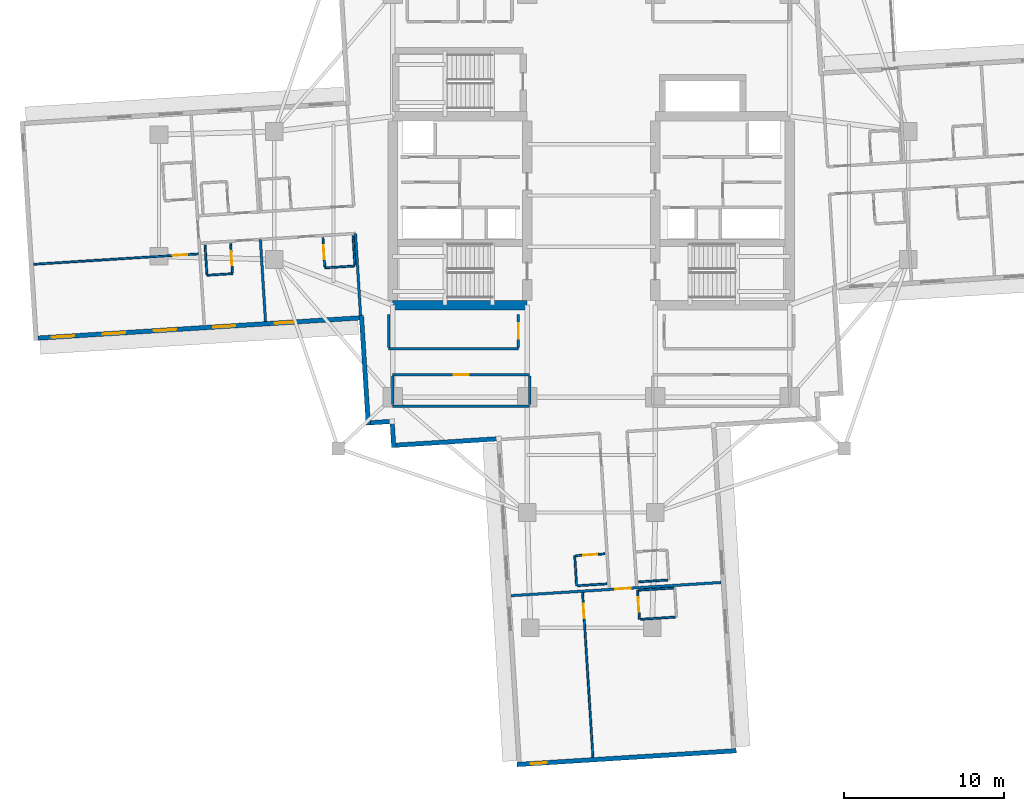
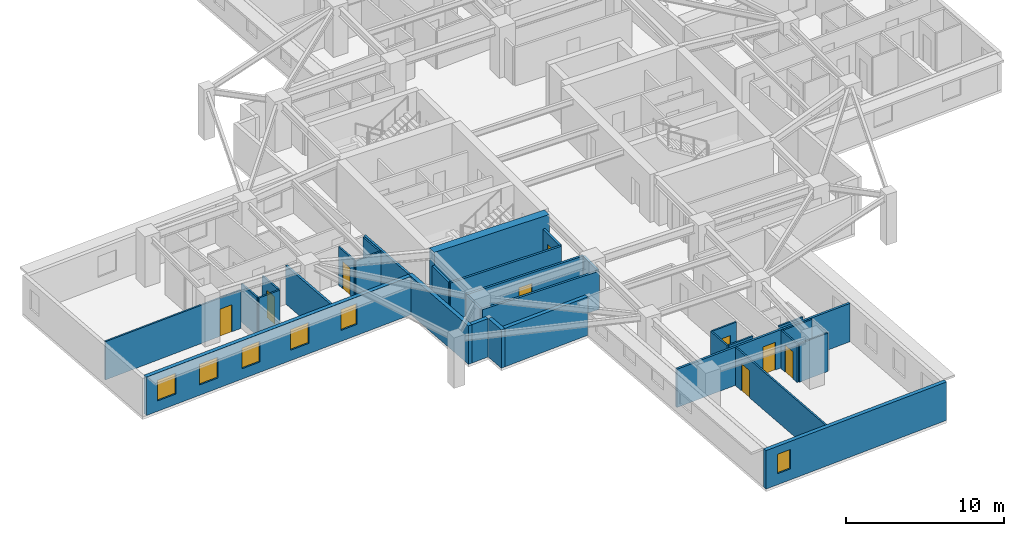
# One storey, part 3 of 14: 32 walls, 9 doors, 6 windows, 15 openings.
"""IFC4 building model written with IfcOpenShell, lengths in metres."""

from ifc_helpers import new_model, si_unit, direction, frame, frame_2d, origin, place, context, subcontext, project, spatial, rectangle, extrude, material, layer, layer_set, type_object, element, fill, save


model = new_model("IFC4")

# Units and contexts
model_context = context("Model", 3, precision=1e-05, world=origin(), true_north=direction((0.0, 1.0)))
body_context = subcontext(model_context, "Body", "Model", "MODEL_VIEW")
ifc_project = project(units=[si_unit("LENGTHUNIT", "METRE"), si_unit("AREAUNIT", "SQUARE_METRE"), si_unit("VOLUMEUNIT", "CUBIC_METRE"), si_unit("PLANEANGLEUNIT", "RADIAN"), si_unit("MASSUNIT", "GRAM", prefix="KILO")], contexts=[model_context])

# Site, building, storey
site_placement = place(None, origin())
site = spatial("IfcSite", under=ifc_project, at=site_placement, CompositionType="ELEMENT")
building_placement = place(site_placement, origin())
building = spatial("IfcBuilding", under=site, at=building_placement, Name="Qingluan Cross Belvedere", CompositionType="ELEMENT")
storey_placement = place(building_placement, frame((0.0, 0.0, 128.10009765625)))
storey = spatial("IfcBuildingStorey", under=building, at=storey_placement, Name="L32", CompositionType="ELEMENT", Elevation=128.10009765625)

# Walls
ifc_material_1 = material(Name="Concrete C60", Category="concrete")
ifc_layer_1 = layer(ifc_material_1, 0.60009765625, Name="CoreShearWall_600")
ifc_layer_set_1 = layer_set([ifc_layer_1], Name="Concrete C60")
wall_type_1 = type_object("IfcWallType", Name="CoreShearWall_600", PredefinedType="SHEAR", material=ifc_layer_set_1)
wall_1_placement = place(storey_placement, frame((-12.39990234375, -6.85009765625, 0.0), z_axis=(0.0, 0.0, 1.0), x_axis=(1.0, 0.0, 0.0)))
element("IfcWall", 1, at=wall_1_placement, inside=storey, type_object=wall_type_1, Name="Split core W shear wall L32-S", PredefinedType="SHEAR", context=body_context, shape_type="SweptSolid", body=[
    extrude(rectangle(XDim=8.39990234375, YDim=0.60009765625, at=frame_2d((4.199951171875, 0.0))), origin(), (0.0, 0.0, 1.0), 3.699951171875),
])
ifc_material_2 = material(Name="Gypsum plasterboard on steel stud acoustic partition", Category="steel")
ifc_layer_2 = layer(ifc_material_2, 0.159912109375, Name="CorridorPartition_160")
ifc_layer_set_2 = layer_set([ifc_layer_2], Name="Gypsum plasterboard on steel stud acoustic partition")
wall_type_2 = type_object("IfcWallType", Name="CorridorPartition_160", PredefinedType="PARTITIONING", material=ifc_layer_set_2)
wall_2_placement = place(storey_placement, frame((-12.39990234375, -13.14990234375, 0.0), z_axis=(0.0, 0.0, 1.0), x_axis=(1.0, 0.0, 0.0)))
element("IfcWall", 2, at=wall_2_placement, inside=storey, type_object=wall_type_2, Name="Partition L32:q_sw:S", PredefinedType="PARTITIONING", context=body_context, shape_type="SweptSolid", body=[
    extrude(rectangle(XDim=8.5498046875, YDim=0.159912109375, at=frame_2d((4.27490234375, 0.0))), origin(), (0.0, 0.0, 1.0), 2.9599609375),
])

# Wall, opening, door
wall_3_placement = place(storey_placement, frame((-12.39990234375, -11.199951171875, 0.0), z_axis=(0.0, 0.0, 1.0), x_axis=(1.0, 0.0, 0.0)))
wall_3 = element("IfcWall", 3, at=wall_3_placement, inside=storey, type_object=wall_type_2, Name="Partition L32:q_sw:N", PredefinedType="PARTITIONING", context=body_context, shape_type="SweptSolid", body=[
    extrude(rectangle(XDim=8.5498046875, YDim=0.159912109375, at=frame_2d((4.27490234375, 0.0))), origin(), (0.0, 0.0, 1.0), 2.9599609375),
])
opening_1_placement = place(wall_3_placement, frame((3.794921875, 0.0, 0.0)))
opening_1 = element("IfcOpeningElement", 4, at=opening_1_placement, cuts=wall_3, Name="Opening GD-10", PredefinedType="OPENING", context=body_context, shape_type="SweptSolid", body=[
    extrude(rectangle(XDim=0.9599609375, YDim=2.14990234375, at=frame_2d((0.47998046875, 1.074951171875))), frame((0.0, 0.08984375, 0.0), z_axis=(0.0, -1.0, 0.0), x_axis=(1.0, 0.0, 0.0)), (0.0, 0.0, 1.0), 0.179931640625),
])
ifc_material_3 = material(Name="Timber oak fire-rated acoustic guestroom door", Category="wood")
door_type_1 = type_object("IfcDoorType", Name="GuestEntryDoor_FD60", OperationType="NOTDEFINED", PredefinedType="DOOR", material=ifc_material_3)
door_1_placement = place(opening_1_placement, origin())
door_1 = element("IfcDoor", 5, at=door_1_placement, inside=storey, type_object=door_type_1, Name="Aromatherapy spa room L32 door", OperationType="SINGLE_SWING_RIGHT", OverallHeight=2.14990234375, OverallWidth=0.9599609375, PredefinedType="DOOR", context=body_context, shape_type="SweptSolid", body=[
    extrude(rectangle(XDim=0.9599609375, YDim=2.14990234375, at=frame_2d((0.47998046875, 1.074951171875))), frame((0.0, 0.02490234375, 0.0), z_axis=(0.0, -1.0, 0.0), x_axis=(1.0, 0.0, 0.0)), (0.0, 0.0, 1.0), 0.050048828125),
])
fill(opening_1, door_1)

# Walls
for number, where, z_axis, x_axis, name in (
    (6, (-12.39990234375, -13.06494140625, 0.0), (0.0, 0.0, 1.0), (0.0, 1.0, 0.0), "Partition L32:q_sw:W"),
    (7, (-3.85009765625, -13.06494140625, 0.0), (0.0, 0.0, 1.0), (0.0, 1.0, 0.0), "Partition L32:q_sw:E"),
):
    element("IfcWall", number, at=place(storey_placement, frame(where, z_axis=z_axis, x_axis=x_axis)), inside=storey, type_object=wall_type_2, Name=name, PredefinedType="PARTITIONING", context=body_context, shape_type="SweptSolid", body=[
        extrude(rectangle(XDim=1.780029296875, YDim=0.159912109375, at=frame_2d((0.89013671875, 0.0))), origin(), (0.0, 0.0, 1.0), 2.9599609375),
    ])
wall_4_placement = place(storey_placement, frame((-12.64990234375, -9.580078125, 0.0), z_axis=(0.0, 0.0, 1.0), x_axis=(1.0, 0.0, 0.0)))
element("IfcWall", 8, at=wall_4_placement, inside=storey, type_object=wall_type_2, Name="Partition L32:rec_st4_w:S", PredefinedType="PARTITIONING", context=body_context, shape_type="SweptSolid", body=[
    extrude(rectangle(XDim=8.099853515625, YDim=0.159912109375, at=frame_2d((4.0498046875, 0.0))), origin(), (0.0, 0.0, 1.0), 2.9599609375),
])
wall_5_placement = place(storey_placement, frame((-12.64990234375, -9.4951171875, 0.0), z_axis=(0.0, 0.0, 1.0), x_axis=(0.0, 1.0, 0.0)))
element("IfcWall", 9, at=wall_5_placement, inside=storey, type_object=wall_type_2, Name="Partition L32:rec_st4_w:W", PredefinedType="PARTITIONING", context=body_context, shape_type="SweptSolid", body=[
    extrude(rectangle(XDim=2.06005859375, YDim=0.159912109375, at=frame_2d((1.030029296875, 0.0))), origin(), (0.0, 0.0, 1.0), 2.9599609375),
])

# Wall, opening, door
wall_6_placement = place(storey_placement, frame((-4.550048828125, -9.4951171875, 0.0), z_axis=(0.0, 0.0, 1.0), x_axis=(0.0, 1.0, 0.0)))
wall_6 = element("IfcWall", 10, at=wall_6_placement, inside=storey, type_object=wall_type_2, Name="Partition L32:rec_st4_w:E", PredefinedType="PARTITIONING", context=body_context, shape_type="SweptSolid", body=[
    extrude(rectangle(XDim=2.06005859375, YDim=0.159912109375, at=frame_2d((1.030029296875, 0.0))), origin(), (0.0, 0.0, 1.0), 2.9599609375),
])
opening_2_placement = place(wall_6_placement, frame((0.550048828125, 0.0, 0.0)))
opening_2 = element("IfcOpeningElement", 11, at=opening_2_placement, cuts=wall_6, Name="Opening GD-10", PredefinedType="OPENING", context=body_context, shape_type="SweptSolid", body=[
    extrude(rectangle(XDim=0.9599609375, YDim=2.14990234375, at=frame_2d((0.47998046875, 1.074951171875))), frame((0.0, 0.08984375, 0.0), z_axis=(0.0, -1.0, 0.0), x_axis=(1.0, 0.0, 0.0)), (0.0, 0.0, 1.0), 0.179931640625),
])
door_2_placement = place(opening_2_placement, origin())
door_2 = element("IfcDoor", 12, at=door_2_placement, inside=storey, type_object=door_type_1, Name="Southwest club reading room L32 door", OperationType="SINGLE_SWING_LEFT", OverallHeight=2.14990234375, OverallWidth=0.9599609375, PredefinedType="DOOR", context=body_context, shape_type="SweptSolid", body=[
    extrude(rectangle(XDim=0.9599609375, YDim=2.14990234375, at=frame_2d((0.47998046875, 1.074951171875))), frame((0.0, 0.02490234375, 0.0), z_axis=(0.0, -1.0, 0.0), x_axis=(1.0, 0.0, 0.0)), (0.0, 0.0, 1.0), 0.050048828125),
])
fill(opening_2, door_2)

# Walls
for number, where, z_axis, x_axis, name in (
    (13, (-14.730224609375, -2.36962890625, 0.0), (0.0, 0.0, 1.0), (0.062795883315, -0.998026390953, 0.0), "Partition L32:W:s1"),
    (14, (-20.66845703125, -2.7431640625, 0.0), (0.0, 0.0, 1.0), (0.062795883315, -0.998026390953, 0.0), "Partition L32:W:d1_0"),
):
    element("IfcWall", number, at=place(storey_placement, frame(where, z_axis=z_axis, x_axis=x_axis)), inside=storey, type_object=wall_type_2, Name=name, PredefinedType="PARTITIONING", context=body_context, shape_type="SweptSolid", body=[
        extrude(rectangle(XDim=5.1318359375, YDim=0.159912109375, at=frame_2d((2.56591796875, 0.0))), origin(), (0.0, 0.0, 1.0), 2.9599609375),
    ])

# Wall, opening, door
wall_7_placement = place(storey_placement, frame((-5.012451171875, -24.994140625, 0.0), z_axis=(0.0, 0.0, 1.0), x_axis=(0.998026109115, 0.062800362452, 0.0)))
wall_7 = element("IfcWall", 15, at=wall_7_placement, inside=storey, type_object=wall_type_2, Name="Partition L32:Scap:in", PredefinedType="PARTITIONING", context=body_context, shape_type="SweptSolid", body=[
    extrude(rectangle(XDim=13.143798828125, YDim=0.159912109375, at=frame_2d((6.57177734375, 0.0))), origin(), (0.0, 0.0, 1.0), 2.9599609375),
])
opening_3_placement = place(wall_7_placement, frame((6.531982421875, 0.0, 0.0)))
opening_3 = element("IfcOpeningElement", 16, at=opening_3_placement, cuts=wall_7, Name="Opening GD-10", PredefinedType="OPENING", context=body_context, shape_type="SweptSolid", body=[
    extrude(rectangle(XDim=0.9599609375, YDim=2.14990234375, at=frame_2d((0.47998046875, 1.074951171875))), frame((0.0, 0.08984375, 0.0), z_axis=(0.0, -1.0, 0.0), x_axis=(1.0, 0.0, 0.0)), (0.0, 0.0, 1.0), 0.179931640625),
])
door_3_placement = place(opening_3_placement, origin())
door_3 = element("IfcDoor", 17, at=door_3_placement, inside=storey, type_object=door_type_1, Name="Horizon corner suite door L32S", OperationType="SINGLE_SWING_LEFT", OverallHeight=2.14990234375, OverallWidth=0.9599609375, PredefinedType="DOOR", context=body_context, shape_type="SweptSolid", body=[
    extrude(rectangle(XDim=0.9599609375, YDim=2.14990234375, at=frame_2d((0.47998046875, 1.074951171875))), frame((0.0, 0.02490234375, 0.0), z_axis=(0.0, -1.0, 0.0), x_axis=(1.0, 0.0, 0.0)), (0.0, 0.0, 1.0), 0.050048828125),
])
fill(opening_3, door_3)

ifc_material_4 = material(Name="Moisture-resistant gypsum board lining")
ifc_layer_3 = layer(ifc_material_4, 0.1201171875, Name="EnsuiteWetPartition_120")
ifc_layer_set_3 = layer_set([ifc_layer_3], Name="Moisture-resistant gypsum board lining")
wall_type_3 = type_object("IfcWallType", Name="EnsuiteWetPartition_120", PredefinedType="PARTITIONING", material=ifc_layer_set_3)
wall_8_placement = place(storey_placement, frame((-16.643310546875, -4.453857421875, 0.0), z_axis=(0.0, 0.0, 1.0), x_axis=(-0.062779145668, 0.998027443946, 0.0)))
wall_8 = element("IfcWall", 18, at=wall_8_placement, inside=storey, type_object=wall_type_3, Name="Partition L32:W:bs1_0", PredefinedType="PARTITIONING", context=body_context, shape_type="SweptSolid", body=[
    extrude(rectangle(XDim=1.820068359375, YDim=0.1201171875, at=frame_2d((0.91015625, 0.0))), origin(), (0.0, 0.0, 1.0), 2.9599609375),
])
opening_4_placement = place(wall_8_placement, frame((0.469970703125, 0.0, 0.0)))
opening_4 = element("IfcOpeningElement", 19, at=opening_4_placement, cuts=wall_8, Name="Opening BD-09", PredefinedType="OPENING", context=body_context, shape_type="SweptSolid", body=[
    extrude(rectangle(XDim=0.8798828125, YDim=2.10009765625, at=frame_2d((0.43994140625, 1.050048828125))), frame((0.0, 0.070068359375, 0.0), z_axis=(0.0, -1.0, 0.0), x_axis=(1.0, 0.0, 0.0)), (0.0, 0.0, 1.0), 0.14013671875),
])
ifc_material_5 = material(Name="Moisture-sealed timber en-suite door", Category="wood")
door_type_2 = type_object("IfcDoorType", Name="BathroomDoor_880", OperationType="NOTDEFINED", PredefinedType="DOOR", material=ifc_material_5)
door_4_placement = place(opening_4_placement, origin())
door_4 = element("IfcDoor", 20, at=door_4_placement, inside=storey, type_object=door_type_2, Name="Bathroom door 3209", OperationType="SINGLE_SWING_LEFT", OverallHeight=2.10009765625, OverallWidth=0.8798828125, PredefinedType="DOOR", context=body_context, shape_type="SweptSolid", body=[
    extrude(rectangle(XDim=0.8798828125, YDim=2.10009765625, at=frame_2d((0.43994140625, 1.050048828125))), frame((0.0, 0.02490234375, 0.0), z_axis=(0.0, -1.0, 0.0), x_axis=(1.0, 0.0, 0.0)), (0.0, 0.0, 1.0), 0.050048828125),
])
fill(opening_4, door_4)

# Walls
wall_9_placement = place(storey_placement, frame((-14.766845703125, -4.335693359375, 0.0), z_axis=(0.0, 0.0, 1.0), x_axis=(-0.062779145668, 0.998027443946, 0.0)))
element("IfcWall", 21, at=wall_9_placement, inside=storey, type_object=wall_type_3, Name="Partition L32:W:bw1_0", PredefinedType="PARTITIONING", context=body_context, shape_type="SweptSolid", body=[
    extrude(rectangle(XDim=1.820068359375, YDim=0.1201171875, at=frame_2d((0.91015625, 0.0))), origin(), (0.0, 0.0, 1.0), 2.9599609375),
])
wall_10_placement = place(storey_placement, frame((-14.7626953125, -4.400634765625, 0.0), z_axis=(0.0, 0.0, 1.0), x_axis=(-0.998023163794, -0.062847152131, 0.0)))
element("IfcWall", 22, at=wall_10_placement, inside=storey, type_object=wall_type_3, Name="Partition L32:W:bc1_0", PredefinedType="PARTITIONING", context=body_context, shape_type="SweptSolid", body=[
    extrude(rectangle(XDim=1.880126953125, YDim=0.1201171875, at=frame_2d((0.93994140625, 0.0))), origin(), (0.0, 0.0, 1.0), 2.9599609375),
])

# Wall, opening, door
wall_11_placement = place(storey_placement, frame((-22.411865234375, -4.81689453125, 0.0), z_axis=(0.0, 0.0, 1.0), x_axis=(-0.062770741989, 0.998027972529, 0.0)))
wall_11 = element("IfcWall", 23, at=wall_11_placement, inside=storey, type_object=wall_type_3, Name="Partition L32:W:bs1_1", PredefinedType="PARTITIONING", context=body_context, shape_type="SweptSolid", body=[
    extrude(rectangle(XDim=1.8203125, YDim=0.1201171875, at=frame_2d((0.91015625, 0.0))), origin(), (0.0, 0.0, 1.0), 2.9599609375),
])
opening_5_placement = place(wall_11_placement, frame((0.469970703125, 0.0, 0.0)))
opening_5 = element("IfcOpeningElement", 24, at=opening_5_placement, cuts=wall_11, Name="Opening BD-09", PredefinedType="OPENING", context=body_context, shape_type="SweptSolid", body=[
    extrude(rectangle(XDim=0.8798828125, YDim=2.10009765625, at=frame_2d((0.43994140625, 1.050048828125))), frame((0.0, 0.070068359375, 0.0), z_axis=(0.0, -1.0, 0.0), x_axis=(1.0, 0.0, 0.0)), (0.0, 0.0, 1.0), 0.14013671875),
])
door_5_placement = place(opening_5_placement, origin())
door_5 = element("IfcDoor", 25, at=door_5_placement, inside=storey, type_object=door_type_2, Name="Bathroom door 3210", OperationType="SINGLE_SWING_LEFT", OverallHeight=2.10009765625, OverallWidth=0.8798828125, PredefinedType="DOOR", context=body_context, shape_type="SweptSolid", body=[
    extrude(rectangle(XDim=0.8798828125, YDim=2.10009765625, at=frame_2d((0.43994140625, 1.050048828125))), frame((0.0, 0.02490234375, 0.0), z_axis=(0.0, -1.0, 0.0), x_axis=(1.0, 0.0, 0.0)), (0.0, 0.0, 1.0), 0.050048828125),
])
fill(opening_5, door_5)

# Walls
wall_12_placement = place(storey_placement, frame((-24.008544921875, -4.917236328125, 0.0), z_axis=(0.0, 0.0, 1.0), x_axis=(-0.062779145668, 0.998027443946, 0.0)))
element("IfcWall", 26, at=wall_12_placement, inside=storey, type_object=wall_type_3, Name="Partition L32:W:bw1_1", PredefinedType="PARTITIONING", context=body_context, shape_type="SweptSolid", body=[
    extrude(rectangle(XDim=1.820068359375, YDim=0.1201171875, at=frame_2d((0.91015625, 0.0))), origin(), (0.0, 0.0, 1.0), 2.9599609375),
])
wall_13_placement = place(storey_placement, frame((-22.40771484375, -4.881591796875, 0.0), z_axis=(0.0, 0.0, 1.0), x_axis=(-0.998021579404, -0.062872307449, 0.0)))
element("IfcWall", 27, at=wall_13_placement, inside=storey, type_object=wall_type_3, Name="Partition L32:W:bc1_1", PredefinedType="PARTITIONING", context=body_context, shape_type="SweptSolid", body=[
    extrude(rectangle(XDim=1.599853515625, YDim=0.1201171875, at=frame_2d((0.7998046875, 0.0))), origin(), (0.0, 0.0, 1.0), 2.9599609375),
])
wall_14_placement = place(storey_placement, frame((2.961181640625, -24.131591796875, 0.0), z_axis=(0.0, 0.0, 1.0), x_axis=(0.998027443946, 0.062779145668, 0.0)))
element("IfcWall", 28, at=wall_14_placement, inside=storey, type_object=wall_type_3, Name="Partition L32:S:bw0_0", PredefinedType="PARTITIONING", context=body_context, shape_type="SweptSolid", body=[
    extrude(rectangle(XDim=1.820068359375, YDim=0.1201171875, at=frame_2d((0.91015625, 0.0))), origin(), (0.0, 0.0, 1.0), 2.9599609375),
])

# Wall, opening, door
wall_15_placement = place(storey_placement, frame((-0.969482421875, -22.495361328125, 0.0), z_axis=(0.0, 0.0, 1.0), x_axis=(0.998027443946, 0.062779145668, 0.0)))
wall_15 = element("IfcWall", 29, at=wall_15_placement, inside=storey, type_object=wall_type_3, Name="Partition L32:S:bs1_0", PredefinedType="PARTITIONING", context=body_context, shape_type="SweptSolid", body=[
    extrude(rectangle(XDim=1.820068359375, YDim=0.1201171875, at=frame_2d((0.91015625, 0.0))), origin(), (0.0, 0.0, 1.0), 2.9599609375),
])
opening_6_placement = place(wall_15_placement, frame((0.469970703125, 0.0, 0.0)))
opening_6 = element("IfcOpeningElement", 30, at=opening_6_placement, cuts=wall_15, Name="Opening BD-09", PredefinedType="OPENING", context=body_context, shape_type="SweptSolid", body=[
    extrude(rectangle(XDim=0.8798828125, YDim=2.10009765625, at=frame_2d((0.43994140625, 1.050048828125))), frame((0.0, 0.070068359375, 0.0), z_axis=(0.0, -1.0, 0.0), x_axis=(1.0, 0.0, 0.0)), (0.0, 0.0, 1.0), 0.14013671875),
])
door_6_placement = place(opening_6_placement, origin())
door_6 = element("IfcDoor", 31, at=door_6_placement, inside=storey, type_object=door_type_2, Name="Bathroom door 3216", OperationType="SINGLE_SWING_LEFT", OverallHeight=2.10009765625, OverallWidth=0.8798828125, PredefinedType="DOOR", context=body_context, shape_type="SweptSolid", body=[
    extrude(rectangle(XDim=0.8798828125, YDim=2.10009765625, at=frame_2d((0.43994140625, 1.050048828125))), frame((0.0, 0.02490234375, 0.0), z_axis=(0.0, -1.0, 0.0), x_axis=(1.0, 0.0, 0.0)), (0.0, 0.0, 1.0), 0.050048828125),
])
fill(opening_6, door_6)

# Walls
wall_16_placement = place(storey_placement, frame((-0.851318359375, -24.37158203125, 0.0), z_axis=(0.0, 0.0, 1.0), x_axis=(0.998027443946, 0.062779145668, 0.0)))
element("IfcWall", 32, at=wall_16_placement, inside=storey, type_object=wall_type_3, Name="Partition L32:S:bw1_0", PredefinedType="PARTITIONING", context=body_context, shape_type="SweptSolid", body=[
    extrude(rectangle(XDim=1.820068359375, YDim=0.1201171875, at=frame_2d((0.91015625, 0.0))), origin(), (0.0, 0.0, 1.0), 2.9599609375),
])
wall_17_placement = place(storey_placement, frame((-1.0341796875, -22.499267578125, 0.0), z_axis=(0.0, 0.0, 1.0), x_axis=(0.062725942896, -0.998030789148, 0.0)))
element("IfcWall", 33, at=wall_17_placement, inside=storey, type_object=wall_type_3, Name="Partition L32:S:bc1_0", PredefinedType="PARTITIONING", context=body_context, shape_type="SweptSolid", body=[
    extrude(rectangle(XDim=1.8798828125, YDim=0.1201171875, at=frame_2d((0.93994140625, 0.0))), origin(), (0.0, 0.0, 1.0), 2.9599609375),
])

# Wall, opening, door
wall_18_placement = place(storey_placement, frame((-24.539306640625, -3.64794921875, 0.0), z_axis=(0.0, 0.0, 1.0), x_axis=(-0.998026977373, -0.062786562543, 0.0)))
wall_18 = element("IfcWall", 34, at=wall_18_placement, inside=storey, type_object=wall_type_3, Name="Partition L32:Wcap:m2", PredefinedType="PARTITIONING", context=body_context, shape_type="SweptSolid", body=[
    extrude(rectangle(XDim=10.31201171875, YDim=0.1201171875, at=frame_2d((5.156005859375, 0.0))), origin(), (0.0, 0.0, 1.0), 2.9599609375),
])
opening_7_placement = place(wall_18_placement, frame((0.699951171875, 0.0, 0.0)))
opening_7 = element("IfcOpeningElement", 35, at=opening_7_placement, cuts=wall_18, Name="Opening BD-89", PredefinedType="OPENING", context=body_context, shape_type="SweptSolid", body=[
    extrude(rectangle(XDim=0.89990234375, YDim=2.10009765625, at=frame_2d((0.449951171875, 1.050048828125))), frame((0.0, 0.070068359375, 0.0), z_axis=(0.0, -1.0, 0.0), x_axis=(1.0, 0.0, 0.0)), (0.0, 0.0, 1.0), 0.14013671875),
])
ifc_material_6 = material(Name="Timber acoustic study door", Category="wood")
door_type_3 = type_object("IfcDoorType", Name="SuiteStudyDoor_900", OperationType="NOTDEFINED", PredefinedType="DOOR", material=ifc_material_6)
door_7_placement = place(opening_7_placement, origin())
door_7 = element("IfcDoor", 36, at=door_7_placement, inside=storey, type_object=door_type_3, Name="Suite private study door L32W", OperationType="SINGLE_SWING_LEFT", OverallHeight=2.10009765625, OverallWidth=0.89990234375, PredefinedType="DOOR", context=body_context, shape_type="SweptSolid", body=[
    extrude(rectangle(XDim=0.89990234375, YDim=2.10009765625, at=frame_2d((0.449951171875, 1.050048828125))), frame((0.0, 0.02490234375, 0.0), z_axis=(0.0, -1.0, 0.0), x_axis=(1.0, 0.0, 0.0)), (0.0, 0.0, 1.0), 0.050048828125),
])
fill(opening_7, door_7)

wall_19_placement = place(storey_placement, frame((-0.543701171875, -24.802978515625, 0.0), z_axis=(0.0, 0.0, 1.0), x_axis=(0.062786562543, -0.998026977373, 0.0)))
wall_19 = element("IfcWall", 37, at=wall_19_placement, inside=storey, type_object=wall_type_3, Name="Partition L32:Scap:m2", PredefinedType="PARTITIONING", context=body_context, shape_type="SweptSolid", body=[
    extrude(rectangle(XDim=10.31201171875, YDim=0.1201171875, at=frame_2d((5.156005859375, 0.0))), origin(), (0.0, 0.0, 1.0), 2.9599609375),
])
opening_8_placement = place(wall_19_placement, frame((0.699951171875, 0.0, 0.0)))
opening_8 = element("IfcOpeningElement", 38, at=opening_8_placement, cuts=wall_19, Name="Opening BD-89", PredefinedType="OPENING", context=body_context, shape_type="SweptSolid", body=[
    extrude(rectangle(XDim=0.89990234375, YDim=2.10009765625, at=frame_2d((0.449951171875, 1.050048828125))), frame((0.0, 0.070068359375, 0.0), z_axis=(0.0, -1.0, 0.0), x_axis=(1.0, 0.0, 0.0)), (0.0, 0.0, 1.0), 0.14013671875),
])
door_8_placement = place(opening_8_placement, origin())
door_8 = element("IfcDoor", 39, at=door_8_placement, inside=storey, type_object=door_type_3, Name="Suite private study door L32S", OperationType="SINGLE_SWING_LEFT", OverallHeight=2.10009765625, OverallWidth=0.89990234375, PredefinedType="DOOR", context=body_context, shape_type="SweptSolid", body=[
    extrude(rectangle(XDim=0.89990234375, YDim=2.10009765625, at=frame_2d((0.449951171875, 1.050048828125))), frame((0.0, 0.02490234375, 0.0), z_axis=(0.0, -1.0, 0.0), x_axis=(1.0, 0.0, 0.0)), (0.0, 0.0, 1.0), 0.050048828125),
])
fill(opening_8, door_8)

wall_20_placement = place(storey_placement, frame((2.893798828125, -24.656982421875, 0.0), z_axis=(0.0, 0.0, 1.0), x_axis=(0.062912758763, -0.998019030272, 0.0)))
wall_20 = element("IfcWall", 40, at=wall_20_placement, inside=storey, type_object=wall_type_3, Name="Partition L32:Scap:b2s", PredefinedType="PARTITIONING", context=body_context, shape_type="SweptSolid", body=[
    extrude(rectangle(XDim=1.820068359375, YDim=0.1201171875, at=frame_2d((0.91015625, 0.0))), origin(), (0.0, 0.0, 1.0), 2.9599609375),
])
opening_9_placement = place(wall_20_placement, frame((0.449951171875, 0.0, 0.0)))
opening_9 = element("IfcOpeningElement", 41, at=opening_9_placement, cuts=wall_20, Name="Opening BD-09", PredefinedType="OPENING", context=body_context, shape_type="SweptSolid", body=[
    extrude(rectangle(XDim=0.8798828125, YDim=2.10009765625, at=frame_2d((0.43994140625, 1.050048828125))), frame((0.0, 0.070068359375, 0.0), z_axis=(0.0, -1.0, 0.0), x_axis=(1.0, 0.0, 0.0)), (0.0, 0.0, 1.0), 0.14013671875),
])
door_9_placement = place(opening_9_placement, origin())
door_9 = element("IfcDoor", 42, at=door_9_placement, inside=storey, type_object=door_type_2, Name="En-suite bathroom door L32S", OperationType="SINGLE_SWING_RIGHT", OverallHeight=2.10009765625, OverallWidth=0.8798828125, PredefinedType="DOOR", context=body_context, shape_type="SweptSolid", body=[
    extrude(rectangle(XDim=0.8798828125, YDim=2.10009765625, at=frame_2d((0.43994140625, 1.050048828125))), frame((0.0, 0.02490234375, 0.0), z_axis=(0.0, -1.0, 0.0), x_axis=(1.0, 0.0, 0.0)), (0.0, 0.0, 1.0), 0.050048828125),
])
fill(opening_9, door_9)

# Walls
wall_21_placement = place(storey_placement, frame((2.9638671875, -24.652587890625, 0.0), z_axis=(0.0, 0.0, 1.0), x_axis=(0.99802414895, 0.06283150573, 0.0)))
element("IfcWall", 43, at=wall_21_placement, inside=storey, type_object=wall_type_3, Name="Partition L32:Scap:b2a", PredefinedType="PARTITIONING", context=body_context, shape_type="SweptSolid", body=[
    extrude(rectangle(XDim=2.179931640625, YDim=0.1201171875, at=frame_2d((1.08984375, 0.0))), origin(), (0.0, 0.0, 1.0), 2.9599609375),
])
wall_22_placement = place(storey_placement, frame((3.078125, -26.468994140625, 0.0), z_axis=(0.0, 0.0, 1.0), x_axis=(0.998024591026, 0.062824483344, 0.0)))
element("IfcWall", 44, at=wall_22_placement, inside=storey, type_object=wall_type_3, Name="Partition L32:Scap:b2n", PredefinedType="PARTITIONING", context=body_context, shape_type="SweptSolid", body=[
    extrude(rectangle(XDim=2.18017578125, YDim=0.1201171875, at=frame_2d((1.090087890625, 0.0))), origin(), (0.0, 0.0, 1.0), 2.9599609375),
])

# Wall, openings, windows
ifc_material_7 = material(Name="Precast concrete C45", Category="concrete")
ifc_layer_4 = layer(ifc_material_7, 0.280029296875, Name="PrecastFacadeWall_280")
ifc_layer_set_4 = layer_set([ifc_layer_4], Name="Precast concrete C45")
wall_type_4 = type_object("IfcWallType", Name="PrecastFacadeWall_280", PredefinedType="STANDARD", material=ifc_layer_set_4)
wall_23_placement = place(storey_placement, frame((-34.548828125, -8.906982421875, 0.0), z_axis=(0.0, 0.0, 1.0), x_axis=(0.99802635503, 0.06279645424, 0.0)))
wall_23 = element("IfcWall", 45, at=wall_23_placement, inside=storey, type_object=wall_type_4, Name="Facade wall L32-WB", PredefinedType="STANDARD", context=body_context, shape_type="SweptSolid", body=[
    extrude(rectangle(XDim=20.099853515625, YDim=0.280029296875, at=frame_2d((10.0498046875, 0.0))), origin(), (0.0, 0.0, 1.0), 2.969970703125),
])
opening_10_placement = place(wall_23_placement, frame((0.85009765625, 0.0, 0.800048828125)))
opening_10 = element("IfcOpeningElement", 46, at=opening_10_placement, cuts=wall_23, Name="Opening W-01", PredefinedType="OPENING", context=body_context, shape_type="SweptSolid", body=[
    extrude(rectangle(XDim=1.39990234375, YDim=1.60009765625, at=frame_2d((0.699951171875, 0.800048828125))), frame((0.0, 0.14990234375, 0.0), z_axis=(0.0, -1.0, 0.0), x_axis=(1.0, 0.0, 0.0)), (0.0, 0.0, 1.0), 0.300048828125),
])
opening_11_placement = place(wall_23_placement, frame((4.050048828125, 0.0, 0.800048828125)))
opening_11 = element("IfcOpeningElement", 47, at=opening_11_placement, cuts=wall_23, Name="Opening W-01", PredefinedType="OPENING", context=body_context, shape_type="SweptSolid", body=[
    extrude(rectangle(XDim=1.39990234375, YDim=1.60009765625, at=frame_2d((0.699951171875, 0.800048828125))), frame((0.0, 0.14990234375, 0.0), z_axis=(0.0, -1.0, 0.0), x_axis=(1.0, 0.0, 0.0)), (0.0, 0.0, 1.0), 0.300048828125),
])
opening_12_placement = place(wall_23_placement, frame((7.25, 0.0, 0.800048828125)))
opening_12 = element("IfcOpeningElement", 48, at=opening_12_placement, cuts=wall_23, Name="Opening W-01", PredefinedType="OPENING", context=body_context, shape_type="SweptSolid", body=[
    extrude(rectangle(XDim=1.39990234375, YDim=1.60009765625, at=frame_2d((0.699951171875, 0.800048828125))), frame((0.0, 0.14990234375, 0.0), z_axis=(0.0, -1.0, 0.0), x_axis=(1.0, 0.0, 0.0)), (0.0, 0.0, 1.0), 0.300048828125),
])
opening_13_placement = place(wall_23_placement, frame((10.949951171875, 0.0, 0.800048828125)))
opening_13 = element("IfcOpeningElement", 49, at=opening_13_placement, cuts=wall_23, Name="Opening W-01", PredefinedType="OPENING", context=body_context, shape_type="SweptSolid", body=[
    extrude(rectangle(XDim=1.39990234375, YDim=1.60009765625, at=frame_2d((0.699951171875, 0.800048828125))), frame((0.0, 0.14990234375, 0.0), z_axis=(0.0, -1.0, 0.0), x_axis=(1.0, 0.0, 0.0)), (0.0, 0.0, 1.0), 0.300048828125),
])
opening_14_placement = place(wall_23_placement, frame((14.799072265625, 0.0, 0.85009765625)))
opening_14 = element("IfcOpeningElement", 50, at=opening_14_placement, cuts=wall_23, Name="Opening W-02", PredefinedType="OPENING", context=body_context, shape_type="SweptSolid", body=[
    extrude(rectangle(XDim=1.199951171875, YDim=1.60009765625, at=frame_2d((0.60009765625, 0.800048828125))), frame((0.0, 0.14990234375, 0.0), z_axis=(0.0, -1.0, 0.0), x_axis=(1.0, 0.0, 0.0)), (0.0, 0.0, 1.0), 0.300048828125),
])
ifc_material_8 = material(Name="Thermally broken triple Low-E glass in aluminium frame", Category="aluminium")
window_type_1 = type_object("IfcWindowType", Name="TriRibbonWin_1200x1600", PartitioningType="SINGLE_PANEL", PredefinedType="WINDOW", material=ifc_material_8)
window_1_placement = place(opening_14_placement, origin())
window_1 = element("IfcWindow", 51, at=window_1_placement, inside=storey, type_object=window_type_1, Name="Deluxe guest room 3209 daylight window", OverallHeight=1.60009765625, OverallWidth=1.199951171875, PartitioningType="SINGLE_PANEL", PredefinedType="WINDOW", context=body_context, shape_type="SweptSolid", body=[
    extrude(rectangle(XDim=1.199951171875, YDim=1.60009765625, at=frame_2d((0.60009765625, 0.800048828125))), frame((0.0, 0.030029296875, 0.0), z_axis=(0.0, -1.0, 0.0), x_axis=(1.0, 0.0, 0.0)), (0.0, 0.0, 1.0), 0.06005859375),
])
fill(opening_14, window_1)
ifc_material_9 = material(Name="Thermally broken triple Low-E glass in aluminium frame", Category="aluminium")
window_type_2 = type_object("IfcWindowType", Name="TriRibbonWin_1400x1600", PartitioningType="SINGLE_PANEL", PredefinedType="WINDOW", material=ifc_material_9)
window_2_placement = place(opening_10_placement, origin())
window_2 = element("IfcWindow", 52, at=window_2_placement, inside=storey, type_object=window_type_2, Name="Ribbon window L32-WB-1", OverallHeight=1.60009765625, OverallWidth=1.39990234375, PartitioningType="SINGLE_PANEL", PredefinedType="WINDOW", context=body_context, shape_type="SweptSolid", body=[
    extrude(rectangle(XDim=1.39990234375, YDim=1.60009765625, at=frame_2d((0.699951171875, 0.800048828125))), frame((0.0, 0.030029296875, 0.0), z_axis=(0.0, -1.0, 0.0), x_axis=(1.0, 0.0, 0.0)), (0.0, 0.0, 1.0), 0.06005859375),
])
fill(opening_10, window_2)
window_3_placement = place(opening_11_placement, origin())
window_3 = element("IfcWindow", 53, at=window_3_placement, inside=storey, type_object=window_type_2, Name="Ribbon window L32-WB-2", OverallHeight=1.60009765625, OverallWidth=1.39990234375, PartitioningType="SINGLE_PANEL", PredefinedType="WINDOW", context=body_context, shape_type="SweptSolid", body=[
    extrude(rectangle(XDim=1.39990234375, YDim=1.60009765625, at=frame_2d((0.699951171875, 0.800048828125))), frame((0.0, 0.030029296875, 0.0), z_axis=(0.0, -1.0, 0.0), x_axis=(1.0, 0.0, 0.0)), (0.0, 0.0, 1.0), 0.06005859375),
])
fill(opening_11, window_3)
window_4_placement = place(opening_12_placement, origin())
window_4 = element("IfcWindow", 54, at=window_4_placement, inside=storey, type_object=window_type_2, Name="Ribbon window L32-WB-3", OverallHeight=1.60009765625, OverallWidth=1.39990234375, PartitioningType="SINGLE_PANEL", PredefinedType="WINDOW", context=body_context, shape_type="SweptSolid", body=[
    extrude(rectangle(XDim=1.39990234375, YDim=1.60009765625, at=frame_2d((0.699951171875, 0.800048828125))), frame((0.0, 0.030029296875, 0.0), z_axis=(0.0, -1.0, 0.0), x_axis=(1.0, 0.0, 0.0)), (0.0, 0.0, 1.0), 0.06005859375),
])
fill(opening_12, window_4)
window_5_placement = place(opening_13_placement, origin())
window_5 = element("IfcWindow", 55, at=window_5_placement, inside=storey, type_object=window_type_2, Name="Ribbon window L32-WB-4", OverallHeight=1.60009765625, OverallWidth=1.39990234375, PartitioningType="SINGLE_PANEL", PredefinedType="WINDOW", context=body_context, shape_type="SweptSolid", body=[
    extrude(rectangle(XDim=1.39990234375, YDim=1.60009765625, at=frame_2d((0.699951171875, 0.800048828125))), frame((0.0, 0.030029296875, 0.0), z_axis=(0.0, -1.0, 0.0), x_axis=(1.0, 0.0, 0.0)), (0.0, 0.0, 1.0), 0.06005859375),
])
fill(opening_13, window_5)

# Wall, opening, window
wall_24_placement = place(storey_placement, frame((-4.637451171875, -35.541259765625, 0.0), z_axis=(0.0, 0.0, 1.0), x_axis=(0.998026318072, 0.062797041623, 0.0)))
wall_24 = element("IfcWall", 56, at=wall_24_placement, inside=storey, type_object=wall_type_4, Name="Arm tip precast facade wall L32-S", PredefinedType="STANDARD", context=body_context, shape_type="SweptSolid", body=[
    extrude(rectangle(XDim=13.719970703125, YDim=0.280029296875, at=frame_2d((6.85986328125, 0.0))), origin(), (0.0, 0.0, 1.0), 2.969970703125),
])
opening_15_placement = place(wall_24_placement, frame((0.85009765625, 0.0, 0.85009765625)))
opening_15 = element("IfcOpeningElement", 57, at=opening_15_placement, cuts=wall_24, Name="Opening W-03", PredefinedType="OPENING", context=body_context, shape_type="SweptSolid", body=[
    extrude(rectangle(XDim=1.0, YDim=1.5, at=frame_2d((0.5, 0.75))), frame((0.0, 0.14990234375, 0.0), z_axis=(0.0, -1.0, 0.0), x_axis=(1.0, 0.0, 0.0)), (0.0, 0.0, 1.0), 0.300048828125),
])
ifc_material_10 = material(Name="Thermally broken triple Low-E glass in aluminium frame", Category="aluminium")
window_type_3 = type_object("IfcWindowType", Name="TriApexWin_1000x1500", PartitioningType="SINGLE_PANEL", PredefinedType="WINDOW", material=ifc_material_10)
window_6_placement = place(opening_15_placement, origin())
window_6 = element("IfcWindow", 58, at=window_6_placement, inside=storey, type_object=window_type_3, Name="Arm tip triangular window L32-S", OverallHeight=1.5, OverallWidth=1.0, PartitioningType="SINGLE_PANEL", PredefinedType="WINDOW", context=body_context, shape_type="SweptSolid", body=[
    extrude(rectangle(XDim=1.0, YDim=1.5, at=frame_2d((0.5, 0.75))), frame((0.0, 0.030029296875, 0.0), z_axis=(0.0, -1.0, 0.0), x_axis=(1.0, 0.0, 0.0)), (0.0, 0.0, 1.0), 0.06005859375),
])
fill(opening_15, window_6)

# Walls
wall_25_placement = place(storey_placement, frame((-14.357666015625, -7.496337890625, 0.0), z_axis=(0.0, 0.0, 1.0), x_axis=(0.062779317195, -0.998027433156, 0.0)))
element("IfcWall", 59, at=wall_25_placement, inside=storey, type_object=wall_type_4, Name="Corner wall L32-SW1", PredefinedType="STANDARD", context=body_context, shape_type="SweptSolid", body=[
    extrude(rectangle(XDim=6.85986328125, YDim=0.280029296875, at=frame_2d((3.429931640625, 0.0))), origin(), (0.0, 0.0, 1.0), 2.969970703125),
])
wall_26_placement = place(storey_placement, frame((-13.7958984375, -14.1943359375, 0.0), z_axis=(0.0, 0.0, 1.0), x_axis=(0.998023660242, 0.06283926796, 0.0)))
element("IfcWall", 60, at=wall_26_placement, inside=storey, type_object=wall_type_4, Name="Corner wall L32-SW2", PredefinedType="STANDARD", context=body_context, shape_type="SweptSolid", body=[
    extrude(rectangle(XDim=1.219970703125, YDim=0.280029296875, at=frame_2d((0.60986328125, 0.0))), origin(), (0.0, 0.0, 1.0), 2.969970703125),
])
wall_27_placement = place(storey_placement, frame((-12.429931640625, -14.24853515625, 0.0), z_axis=(0.0, 0.0, 1.0), x_axis=(0.062824119533, -0.998024613927, 0.0)))
element("IfcWall", 61, at=wall_27_placement, inside=storey, type_object=wall_type_4, Name="Corner wall L32-SW3", PredefinedType="STANDARD", context=body_context, shape_type="SweptSolid", body=[
    extrude(rectangle(XDim=1.5, YDim=0.280029296875, at=frame_2d((0.75, 0.0))), origin(), (0.0, 0.0, 1.0), 2.969970703125),
])
wall_28_placement = place(storey_placement, frame((-12.20458984375, -15.59716796875, 0.0), z_axis=(0.0, 0.0, 1.0), x_axis=(0.998024885752, 0.062819801181, 0.0)))
element("IfcWall", 62, at=wall_28_placement, inside=storey, type_object=wall_type_4, Name="Corner wall L32-SW4", PredefinedType="STANDARD", context=body_context, shape_type="SweptSolid", body=[
    extrude(rectangle(XDim=6.2998046875, YDim=0.280029296875, at=frame_2d((3.14990234375, 0.0))), origin(), (0.0, 0.0, 1.0), 2.969970703125),
])

save(model, "model.ifc")
